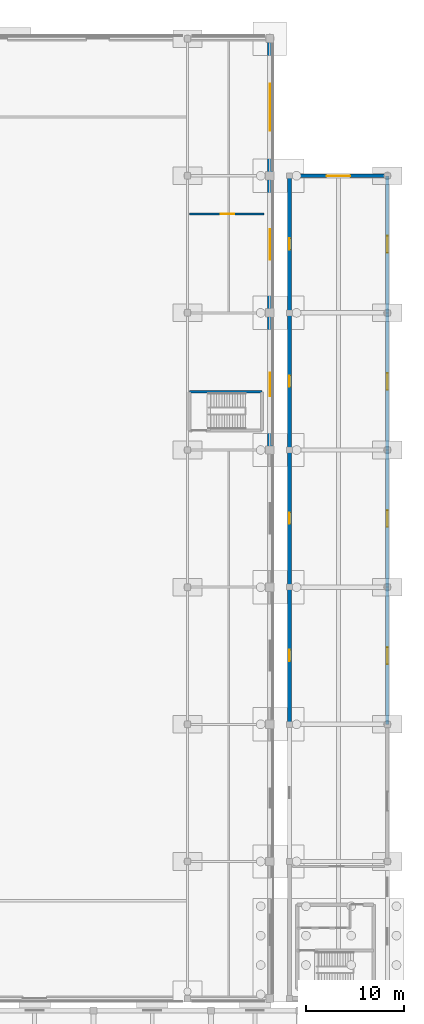
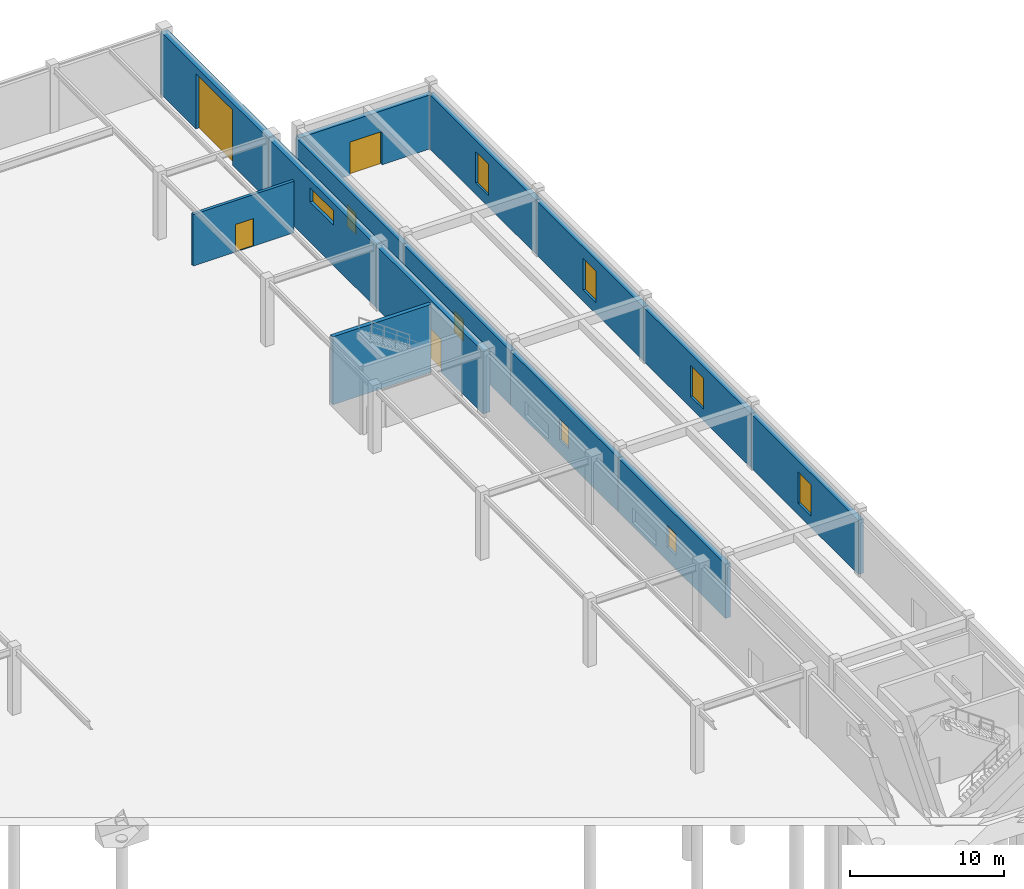
# One storey, part 36 of 53: 14 walls, 9 windows, 4 doors, 13 openings.
"""IFC4 building model written with IfcOpenShell, lengths in metres."""

from ifc_helpers import new_model, si_unit, derived_unit, direction, frame, frame_2d, origin, place, context, subcontext, project, spatial, rectangle, extrude, material, layer, layer_set, type_object, element, fill, save


model = new_model("IFC4")

# Units and contexts
model_context = context("Model", 3, precision=1e-05, world=origin(), true_north=direction((0.0, 1.0)))
body_context = subcontext(model_context, "Body", "Model", "MODEL_VIEW")
ifc_project = project(units=[si_unit("LENGTHUNIT", "METRE"), si_unit("AREAUNIT", "SQUARE_METRE"), si_unit("VOLUMEUNIT", "CUBIC_METRE"), si_unit("PLANEANGLEUNIT", "RADIAN"), si_unit("MASSUNIT", "GRAM", prefix="KILO"), derived_unit("THERMALTRANSMITTANCEUNIT", [(si_unit("POWERUNIT", "WATT"), 1), (si_unit("LENGTHUNIT", "METRE"), -2), (si_unit("THERMODYNAMICTEMPERATUREUNIT", "KELVIN"), -1)])], contexts=[model_context])

# Site, building, storey
site_placement = place(None, origin())
site = spatial("IfcSite", under=ifc_project, at=site_placement, CompositionType="ELEMENT")
building_placement = place(site_placement, origin())
building = spatial("IfcBuilding", under=site, at=building_placement, Name="Almenara Railside Exhibition Hall", CompositionType="ELEMENT")
storey_placement = place(building_placement, origin())
storey = spatial("IfcBuildingStorey", under=building, at=storey_placement, Name="L00", CompositionType="ELEMENT", Elevation=0.0)

# Wall, opening, window
ifc_material_1 = material(Name="Ochre-white lime-rendered masonry over Concrete C35/45", Category="masonry")
ifc_layer_1 = layer(ifc_material_1, 0.385009765625, Name="Ochre-white lime-rendered masonry over Concrete C35/45")
ifc_layer_set_1 = layer_set([ifc_layer_1], Name="Ochre-white lime-rendered masonry over Concrete C35/45")
wall_type_1 = type_object("IfcWallType", Name="Exterior Arcade Spandrel Wall 385mm C35/45", PredefinedType="SOLIDWALL", material=ifc_layer_set_1)
wall_1_placement = place(storey_placement, frame((204.0, 62.0, 0.0), z_axis=(0.0, 0.0, 1.0), x_axis=(0.0, 1.0, 0.0)))
wall_1 = element("IfcWall", 1, at=wall_1_placement, inside=storey, type_object=wall_type_1, Name="Exterior wall 0198", PredefinedType="SOLIDWALL", context=body_context, shape_type="SweptSolid", body=[
    extrude(rectangle(XDim=14.0, YDim=0.385009765625, at=frame_2d((7.0, 0.0))), origin(), (0.0, 0.0, 1.0), 4.300048828125),
])
opening_1_placement = place(wall_1_placement, frame((6.14990234375, 0.0, 0.89990234375)))
opening_1 = element("IfcOpeningElement", 2, at=opening_1_placement, cuts=wall_1, Name="Opening W-06", PredefinedType="OPENING", context=body_context, shape_type="SweptSolid", body=[
    extrude(rectangle(XDim=1.699951171875, YDim=2.5, at=frame_2d((0.85009765625, 1.25))), frame((0.0, 0.202392578125, 0.0), z_axis=(0.0, -1.0, 0.0), x_axis=(1.0, 0.0, 0.0)), (0.0, 0.0, 1.0), 0.405029296875),
])
ifc_material_2 = material(Name="Bronze-anodised aluminium and low-E double glazing", Category="aluminium")
window_type_1 = type_object("IfcWindowType", Name="East Gallery Arched Window 1700x2500", PartitioningType="DOUBLE_PANEL_VERTICAL", PredefinedType="WINDOW", material=ifc_material_2)
window_1_placement = place(opening_1_placement, origin())
window_1 = element("IfcWindow", 3, at=window_1_placement, inside=storey, type_object=window_type_1, Name="Window 0055", OverallHeight=2.5, OverallWidth=1.699951171875, PartitioningType="DOUBLE_PANEL_VERTICAL", PredefinedType="WINDOW", context=body_context, shape_type="SweptSolid", body=[
    extrude(rectangle(XDim=1.699951171875, YDim=2.5, at=frame_2d((0.85009765625, 1.25))), frame((0.0, 0.030029296875, 0.0), z_axis=(0.0, -1.0, 0.0), x_axis=(1.0, 0.0, 0.0)), (0.0, 0.0, 1.0), 0.06005859375),
])
fill(opening_1, window_1)

wall_2_placement = place(storey_placement, frame((194.0, 76.0, 0.0), z_axis=(0.0, 0.0, 1.0), x_axis=(0.0, -1.0, 0.0)))
wall_2 = element("IfcWall", 4, at=wall_2_placement, inside=storey, type_object=wall_type_1, Name="Exterior wall 0199", PredefinedType="SOLIDWALL", context=body_context, shape_type="SweptSolid", body=[
    extrude(rectangle(XDim=14.0, YDim=0.385009765625, at=frame_2d((7.0, 0.0))), origin(), (0.0, 0.0, 1.0), 4.300048828125),
])
opening_2_placement = place(wall_2_placement, frame((6.39990234375, 0.0, 1.10009765625)))
opening_2 = element("IfcOpeningElement", 5, at=opening_2_placement, cuts=wall_2, Name="Opening W-11", PredefinedType="OPENING", context=body_context, shape_type="SweptSolid", body=[
    extrude(rectangle(XDim=1.14990234375, YDim=1.699951171875, at=frame_2d((0.574951171875, 0.85009765625))), frame((0.0, 0.202392578125, 0.0), z_axis=(0.0, -1.0, 0.0), x_axis=(1.0, 0.0, 0.0)), (0.0, 0.0, 1.0), 0.405029296875),
])
window_type_2 = type_object("IfcWindowType", Name="South Gallery Punched Window 1150x1700", PartitioningType="SINGLE_PANEL", PredefinedType="WINDOW", material=ifc_material_2)
window_2_placement = place(opening_2_placement, origin())
window_2 = element("IfcWindow", 6, at=window_2_placement, inside=storey, type_object=window_type_2, Name="Window 0056", OverallHeight=1.699951171875, OverallWidth=1.14990234375, PartitioningType="SINGLE_PANEL", PredefinedType="WINDOW", context=body_context, shape_type="SweptSolid", body=[
    extrude(rectangle(XDim=1.14990234375, YDim=1.699951171875, at=frame_2d((0.574951171875, 0.85009765625))), frame((0.0, 0.030029296875, 0.0), z_axis=(0.0, -1.0, 0.0), x_axis=(1.0, 0.0, 0.0)), (0.0, 0.0, 1.0), 0.06005859375),
])
fill(opening_2, window_2)

wall_3_placement = place(storey_placement, frame((204.0, 76.0, 0.0), z_axis=(0.0, 0.0, 1.0), x_axis=(0.0, 1.0, 0.0)))
wall_3 = element("IfcWall", 7, at=wall_3_placement, inside=storey, type_object=wall_type_1, Name="Exterior wall 0200", PredefinedType="SOLIDWALL", context=body_context, shape_type="SweptSolid", body=[
    extrude(rectangle(XDim=14.0, YDim=0.385009765625, at=frame_2d((7.0, 0.0))), origin(), (0.0, 0.0, 1.0), 4.300048828125),
])
opening_3_placement = place(wall_3_placement, frame((6.14990234375, 0.0, 0.89990234375)))
opening_3 = element("IfcOpeningElement", 8, at=opening_3_placement, cuts=wall_3, Name="Opening W-06", PredefinedType="OPENING", context=body_context, shape_type="SweptSolid", body=[
    extrude(rectangle(XDim=1.699951171875, YDim=2.5, at=frame_2d((0.85009765625, 1.25))), frame((0.0, 0.202392578125, 0.0), z_axis=(0.0, -1.0, 0.0), x_axis=(1.0, 0.0, 0.0)), (0.0, 0.0, 1.0), 0.405029296875),
])
window_3_placement = place(opening_3_placement, origin())
window_3 = element("IfcWindow", 9, at=window_3_placement, inside=storey, type_object=window_type_1, Name="Window 0057", OverallHeight=2.5, OverallWidth=1.699951171875, PartitioningType="DOUBLE_PANEL_VERTICAL", PredefinedType="WINDOW", context=body_context, shape_type="SweptSolid", body=[
    extrude(rectangle(XDim=1.699951171875, YDim=2.5, at=frame_2d((0.85009765625, 1.25))), frame((0.0, 0.030029296875, 0.0), z_axis=(0.0, -1.0, 0.0), x_axis=(1.0, 0.0, 0.0)), (0.0, 0.0, 1.0), 0.06005859375),
])
fill(opening_3, window_3)

wall_4_placement = place(storey_placement, frame((194.0, 90.0, 0.0), z_axis=(0.0, 0.0, 1.0), x_axis=(0.0, -1.0, 0.0)))
wall_4 = element("IfcWall", 10, at=wall_4_placement, inside=storey, type_object=wall_type_1, Name="Exterior wall 0201", PredefinedType="SOLIDWALL", context=body_context, shape_type="SweptSolid", body=[
    extrude(rectangle(XDim=14.0, YDim=0.385009765625, at=frame_2d((7.0, 0.0))), origin(), (0.0, 0.0, 1.0), 4.300048828125),
])
opening_4_placement = place(wall_4_placement, frame((6.39990234375, 0.0, 1.10009765625)))
opening_4 = element("IfcOpeningElement", 11, at=opening_4_placement, cuts=wall_4, Name="Opening W-11", PredefinedType="OPENING", context=body_context, shape_type="SweptSolid", body=[
    extrude(rectangle(XDim=1.14990234375, YDim=1.699951171875, at=frame_2d((0.574951171875, 0.85009765625))), frame((0.0, 0.202392578125, 0.0), z_axis=(0.0, -1.0, 0.0), x_axis=(1.0, 0.0, 0.0)), (0.0, 0.0, 1.0), 0.405029296875),
])
window_4_placement = place(opening_4_placement, origin())
window_4 = element("IfcWindow", 12, at=window_4_placement, inside=storey, type_object=window_type_2, Name="Window 0058", OverallHeight=1.699951171875, OverallWidth=1.14990234375, PartitioningType="SINGLE_PANEL", PredefinedType="WINDOW", context=body_context, shape_type="SweptSolid", body=[
    extrude(rectangle(XDim=1.14990234375, YDim=1.699951171875, at=frame_2d((0.574951171875, 0.85009765625))), frame((0.0, 0.030029296875, 0.0), z_axis=(0.0, -1.0, 0.0), x_axis=(1.0, 0.0, 0.0)), (0.0, 0.0, 1.0), 0.06005859375),
])
fill(opening_4, window_4)

wall_5_placement = place(storey_placement, frame((204.0, 90.0, 0.0), z_axis=(0.0, 0.0, 1.0), x_axis=(0.0, 1.0, 0.0)))
wall_5 = element("IfcWall", 13, at=wall_5_placement, inside=storey, type_object=wall_type_1, Name="Exterior wall 0202", PredefinedType="SOLIDWALL", context=body_context, shape_type="SweptSolid", body=[
    extrude(rectangle(XDim=14.0, YDim=0.385009765625, at=frame_2d((7.0, 0.0))), origin(), (0.0, 0.0, 1.0), 4.300048828125),
])
opening_5_placement = place(wall_5_placement, frame((6.14990234375, 0.0, 0.89990234375)))
opening_5 = element("IfcOpeningElement", 14, at=opening_5_placement, cuts=wall_5, Name="Opening W-06", PredefinedType="OPENING", context=body_context, shape_type="SweptSolid", body=[
    extrude(rectangle(XDim=1.699951171875, YDim=2.5, at=frame_2d((0.85009765625, 1.25))), frame((0.0, 0.202392578125, 0.0), z_axis=(0.0, -1.0, 0.0), x_axis=(1.0, 0.0, 0.0)), (0.0, 0.0, 1.0), 0.405029296875),
])
window_5_placement = place(opening_5_placement, origin())
window_5 = element("IfcWindow", 15, at=window_5_placement, inside=storey, type_object=window_type_1, Name="Window 0059", OverallHeight=2.5, OverallWidth=1.699951171875, PartitioningType="DOUBLE_PANEL_VERTICAL", PredefinedType="WINDOW", context=body_context, shape_type="SweptSolid", body=[
    extrude(rectangle(XDim=1.699951171875, YDim=2.5, at=frame_2d((0.85009765625, 1.25))), frame((0.0, 0.030029296875, 0.0), z_axis=(0.0, -1.0, 0.0), x_axis=(1.0, 0.0, 0.0)), (0.0, 0.0, 1.0), 0.06005859375),
])
fill(opening_5, window_5)

wall_6_placement = place(storey_placement, frame((194.0, 104.0, 0.0), z_axis=(0.0, 0.0, 1.0), x_axis=(0.0, -1.0, 0.0)))
wall_6 = element("IfcWall", 16, at=wall_6_placement, inside=storey, type_object=wall_type_1, Name="Exterior wall 0203", PredefinedType="SOLIDWALL", context=body_context, shape_type="SweptSolid", body=[
    extrude(rectangle(XDim=14.0, YDim=0.385009765625, at=frame_2d((7.0, 0.0))), origin(), (0.0, 0.0, 1.0), 4.300048828125),
])
opening_6_placement = place(wall_6_placement, frame((6.39990234375, 0.0, 1.10009765625)))
opening_6 = element("IfcOpeningElement", 17, at=opening_6_placement, cuts=wall_6, Name="Opening W-11", PredefinedType="OPENING", context=body_context, shape_type="SweptSolid", body=[
    extrude(rectangle(XDim=1.14990234375, YDim=1.699951171875, at=frame_2d((0.574951171875, 0.85009765625))), frame((0.0, 0.202392578125, 0.0), z_axis=(0.0, -1.0, 0.0), x_axis=(1.0, 0.0, 0.0)), (0.0, 0.0, 1.0), 0.405029296875),
])
window_6_placement = place(opening_6_placement, origin())
window_6 = element("IfcWindow", 18, at=window_6_placement, inside=storey, type_object=window_type_2, Name="Window 0060", OverallHeight=1.699951171875, OverallWidth=1.14990234375, PartitioningType="SINGLE_PANEL", PredefinedType="WINDOW", context=body_context, shape_type="SweptSolid", body=[
    extrude(rectangle(XDim=1.14990234375, YDim=1.699951171875, at=frame_2d((0.574951171875, 0.85009765625))), frame((0.0, 0.030029296875, 0.0), z_axis=(0.0, -1.0, 0.0), x_axis=(1.0, 0.0, 0.0)), (0.0, 0.0, 1.0), 0.06005859375),
])
fill(opening_6, window_6)

wall_7_placement = place(storey_placement, frame((204.0, 104.0, 0.0), z_axis=(0.0, 0.0, 1.0), x_axis=(0.0, 1.0, 0.0)))
wall_7 = element("IfcWall", 19, at=wall_7_placement, inside=storey, type_object=wall_type_1, Name="Exterior wall 0204", PredefinedType="SOLIDWALL", context=body_context, shape_type="SweptSolid", body=[
    extrude(rectangle(XDim=14.0, YDim=0.385009765625, at=frame_2d((7.0, 0.0))), origin(), (0.0, 0.0, 1.0), 4.300048828125),
])
opening_7_placement = place(wall_7_placement, frame((6.14990234375, 0.0, 0.89990234375)))
opening_7 = element("IfcOpeningElement", 20, at=opening_7_placement, cuts=wall_7, Name="Opening W-06", PredefinedType="OPENING", context=body_context, shape_type="SweptSolid", body=[
    extrude(rectangle(XDim=1.699951171875, YDim=2.5, at=frame_2d((0.85009765625, 1.25))), frame((0.0, 0.202392578125, 0.0), z_axis=(0.0, -1.0, 0.0), x_axis=(1.0, 0.0, 0.0)), (0.0, 0.0, 1.0), 0.405029296875),
])
window_7_placement = place(opening_7_placement, origin())
window_7 = element("IfcWindow", 21, at=window_7_placement, inside=storey, type_object=window_type_1, Name="Window 0061", OverallHeight=2.5, OverallWidth=1.699951171875, PartitioningType="DOUBLE_PANEL_VERTICAL", PredefinedType="WINDOW", context=body_context, shape_type="SweptSolid", body=[
    extrude(rectangle(XDim=1.699951171875, YDim=2.5, at=frame_2d((0.85009765625, 1.25))), frame((0.0, 0.030029296875, 0.0), z_axis=(0.0, -1.0, 0.0), x_axis=(1.0, 0.0, 0.0)), (0.0, 0.0, 1.0), 0.06005859375),
])
fill(opening_7, window_7)

wall_8_placement = place(storey_placement, frame((194.0, 118.0, 0.0), z_axis=(0.0, 0.0, 1.0), x_axis=(0.0, -1.0, 0.0)))
wall_8 = element("IfcWall", 22, at=wall_8_placement, inside=storey, type_object=wall_type_1, Name="Exterior wall 0205", PredefinedType="SOLIDWALL", context=body_context, shape_type="SweptSolid", body=[
    extrude(rectangle(XDim=14.0, YDim=0.385009765625, at=frame_2d((7.0, 0.0))), origin(), (0.0, 0.0, 1.0), 4.300048828125),
])
opening_8_placement = place(wall_8_placement, frame((6.39990234375, 0.0, 1.10009765625)))
opening_8 = element("IfcOpeningElement", 23, at=opening_8_placement, cuts=wall_8, Name="Opening W-11", PredefinedType="OPENING", context=body_context, shape_type="SweptSolid", body=[
    extrude(rectangle(XDim=1.14990234375, YDim=1.699951171875, at=frame_2d((0.574951171875, 0.85009765625))), frame((0.0, 0.202392578125, 0.0), z_axis=(0.0, -1.0, 0.0), x_axis=(1.0, 0.0, 0.0)), (0.0, 0.0, 1.0), 0.405029296875),
])
window_8_placement = place(opening_8_placement, origin())
window_8 = element("IfcWindow", 24, at=window_8_placement, inside=storey, type_object=window_type_2, Name="Window 0062", OverallHeight=1.699951171875, OverallWidth=1.14990234375, PartitioningType="SINGLE_PANEL", PredefinedType="WINDOW", context=body_context, shape_type="SweptSolid", body=[
    extrude(rectangle(XDim=1.14990234375, YDim=1.699951171875, at=frame_2d((0.574951171875, 0.85009765625))), frame((0.0, 0.030029296875, 0.0), z_axis=(0.0, -1.0, 0.0), x_axis=(1.0, 0.0, 0.0)), (0.0, 0.0, 1.0), 0.06005859375),
])
fill(opening_8, window_8)

# Wall, opening, door
wall_9_placement = place(storey_placement, frame((204.0, 118.0, 0.0), z_axis=(0.0, 0.0, 1.0), x_axis=(-1.0, 0.0, 0.0)))
wall_9 = element("IfcWall", 25, at=wall_9_placement, inside=storey, type_object=wall_type_1, Name="Exterior wall 0207", PredefinedType="SOLIDWALL", context=body_context, shape_type="SweptSolid", body=[
    extrude(rectangle(XDim=10.0, YDim=0.385009765625, at=frame_2d((5.0, 0.0))), origin(), (0.0, 0.0, 1.0), 4.300048828125),
])
opening_9_placement = place(wall_9_placement, frame((3.800048828125, 0.0, 0.0)))
opening_9 = element("IfcOpeningElement", 26, at=opening_9_placement, cuts=wall_9, Name="Opening ED-29", PredefinedType="OPENING", context=body_context, shape_type="SweptSolid", body=[
    extrude(rectangle(XDim=2.39990234375, YDim=2.64990234375, at=frame_2d((1.199951171875, 1.324951171875))), frame((0.0, 0.202392578125, 0.0), z_axis=(0.0, -1.0, 0.0), x_axis=(1.0, 0.0, 0.0)), (0.0, 0.0, 1.0), 0.405029296875),
])
ifc_material_3 = material(Name="Bronze-anodised glazed entrance door")
door_type_1 = type_object("IfcDoorType", Name="Grand Civic Portal Double Exit Door 2400x2650", OperationType="NOTDEFINED", PredefinedType="DOOR", material=ifc_material_3)
door_1_placement = place(opening_9_placement, frame((2.39990234375, 0.0, 0.0), z_axis=(0.0, 0.0, 1.0), x_axis=(-1.0, 0.0, 0.0)))
door_1 = element("IfcDoor", 27, at=door_1_placement, inside=storey, type_object=door_type_1, Name="Exterior door ED-29", OperationType="DOUBLE_DOOR_SINGLE_SWING", OverallHeight=2.64990234375, OverallWidth=2.39990234375, PredefinedType="DOOR", context=body_context, shape_type="SweptSolid", body=[
    extrude(rectangle(XDim=2.39990234375, YDim=2.64990234375, at=frame_2d((1.199951171875, 1.324951171875))), frame((0.0, 0.02490234375, 0.0), z_axis=(0.0, -1.0, 0.0), x_axis=(1.0, 0.0, 0.0)), (0.0, 0.0, 1.0), 0.050048828125),
])
fill(opening_9, door_1)

ifc_layer_2 = layer(ifc_material_1, 0.510009765625, Name="Ochre-white lime-rendered masonry over Concrete C35/45")
ifc_layer_set_2 = layer_set([ifc_layer_2], Name="Ochre-white lime-rendered masonry over Concrete C35/45")
wall_type_2 = type_object("IfcWallType", Name="Exterior East Hall Thermal Wall 510mm C35/45", PredefinedType="SOLIDWALL", material=ifc_layer_set_2)
wall_10_placement = place(storey_placement, frame((192.0, 90.0, 0.0), z_axis=(0.0, 0.0, 1.0), x_axis=(0.0, 1.0, 0.0)))
wall_10 = element("IfcWall", 28, at=wall_10_placement, inside=storey, type_object=wall_type_2, Name="Exterior wall 0086", PredefinedType="SOLIDWALL", context=body_context, shape_type="SweptSolid", body=[
    extrude(rectangle(XDim=14.0, YDim=0.510009765625, at=frame_2d((7.0, 0.0))), origin(), (0.0, 0.0, 1.0), 4.949951171875),
])
opening_10_placement = place(wall_10_placement, frame((5.5, 0.0, 0.0)))
opening_10 = element("IfcOpeningElement", 29, at=opening_10_placement, cuts=wall_10, Name="Opening ED-09", PredefinedType="OPENING", context=body_context, shape_type="SweptSolid", body=[
    extrude(rectangle(XDim=2.39990234375, YDim=2.64990234375, at=frame_2d((1.199951171875, 1.324951171875))), frame((0.0, 0.264892578125, 0.0), z_axis=(0.0, -1.0, 0.0), x_axis=(1.0, 0.0, 0.0)), (0.0, 0.0, 1.0), 0.530029296875),
])
door_2_placement = place(opening_10_placement, frame((2.39990234375, 0.0, 0.0), z_axis=(0.0, 0.0, 1.0), x_axis=(-1.0, 0.0, 0.0)))
door_2 = element("IfcDoor", 30, at=door_2_placement, inside=storey, type_object=door_type_1, Name="Exterior door ED-09", OperationType="DOUBLE_DOOR_SINGLE_SWING", OverallHeight=2.64990234375, OverallWidth=2.39990234375, PredefinedType="DOOR", context=body_context, shape_type="SweptSolid", body=[
    extrude(rectangle(XDim=2.39990234375, YDim=2.64990234375, at=frame_2d((1.199951171875, 1.324951171875))), frame((0.0, 0.02490234375, 0.0), z_axis=(0.0, -1.0, 0.0), x_axis=(1.0, 0.0, 0.0)), (0.0, 0.0, 1.0), 0.050048828125),
])
fill(opening_10, door_2)

# Wall, opening, window
wall_11_placement = place(storey_placement, frame((192.0, 104.0, 0.0), z_axis=(0.0, 0.0, 1.0), x_axis=(0.0, 1.0, 0.0)))
wall_11 = element("IfcWall", 31, at=wall_11_placement, inside=storey, type_object=wall_type_2, Name="Exterior wall 0090", PredefinedType="SOLIDWALL", context=body_context, shape_type="SweptSolid", body=[
    extrude(rectangle(XDim=14.0, YDim=0.510009765625, at=frame_2d((7.0, 0.0))), origin(), (0.0, 0.0, 1.0), 4.949951171875),
])
opening_11_placement = place(wall_11_placement, frame((5.449951171875, 0.0, 3.199951171875)))
opening_11 = element("IfcOpeningElement", 32, at=opening_11_placement, cuts=wall_11, Name="Opening W-15", PredefinedType="OPENING", context=body_context, shape_type="SweptSolid", body=[
    extrude(rectangle(XDim=3.10009765625, YDim=1.14990234375, at=frame_2d((1.550048828125, 0.574951171875))), frame((0.0, 0.264892578125, 0.0), z_axis=(0.0, -1.0, 0.0), x_axis=(1.0, 0.0, 0.0)), (0.0, 0.0, 1.0), 0.530029296875),
])
window_type_3 = type_object("IfcWindowType", Name="East Hall Clerestory Window 3100x1150", PartitioningType="TRIPLE_PANEL_HORIZONTAL", PredefinedType="WINDOW", material=ifc_material_2)
window_9_placement = place(opening_11_placement, origin())
window_9 = element("IfcWindow", 33, at=window_9_placement, inside=storey, type_object=window_type_3, Name="Window 0018", OverallHeight=1.14990234375, OverallWidth=3.10009765625, PartitioningType="TRIPLE_PANEL_HORIZONTAL", PredefinedType="WINDOW", context=body_context, shape_type="SweptSolid", body=[
    extrude(rectangle(XDim=3.10009765625, YDim=1.14990234375, at=frame_2d((1.550048828125, 0.574951171875))), frame((0.0, 0.030029296875, 0.0), z_axis=(0.0, -1.0, 0.0), x_axis=(1.0, 0.0, 0.0)), (0.0, 0.0, 1.0), 0.06005859375),
])
fill(opening_11, window_9)

# Wall, opening, door
wall_12_placement = place(storey_placement, frame((192.0, 118.0, 0.0), z_axis=(0.0, 0.0, 1.0), x_axis=(0.0, 1.0, 0.0)))
wall_12 = element("IfcWall", 34, at=wall_12_placement, inside=storey, type_object=wall_type_2, Name="Exterior wall 0094", PredefinedType="SOLIDWALL", context=body_context, shape_type="SweptSolid", body=[
    extrude(rectangle(XDim=14.0, YDim=0.510009765625, at=frame_2d((7.0, 0.0))), origin(), (0.0, 0.0, 1.0), 4.949951171875),
])
opening_12_placement = place(wall_12_placement, frame((4.60009765625, 0.0, 0.0)))
opening_12 = element("IfcOpeningElement", 35, at=opening_12_placement, cuts=wall_12, Name="Opening VG-02", PredefinedType="OPENING", context=body_context, shape_type="SweptSolid", body=[
    extrude(rectangle(XDim=4.800048828125, YDim=4.39990234375, at=frame_2d((2.39990234375, 2.199951171875))), frame((0.0, 0.264892578125, 0.0), z_axis=(0.0, -1.0, 0.0), x_axis=(1.0, 0.0, 0.0)), (0.0, 0.0, 1.0), 0.530029296875),
])
ifc_material_4 = material(Name="Galvanised insulated acoustic steel shutter", Category="steel")
door_type_2 = type_object("IfcDoorType", Name="Marshalling Bay Roller Shutter 4800x4400", OperationType="ROLLINGUP", PredefinedType="GATE", material=ifc_material_4)
door_3_placement = place(opening_12_placement, origin())
door_3 = element("IfcDoor", 36, at=door_3_placement, inside=storey, type_object=door_type_2, Name="Exterior door VG-02", OperationType="ROLLINGUP", OverallHeight=4.39990234375, OverallWidth=4.800048828125, PredefinedType="GATE", context=body_context, shape_type="SweptSolid", body=[
    extrude(rectangle(XDim=4.800048828125, YDim=4.39990234375, at=frame_2d((2.39990234375, 2.199951171875))), frame((0.0, 0.02490234375, 0.0), z_axis=(0.0, -1.0, 0.0), x_axis=(1.0, 0.0, 0.0)), (0.0, 0.0, 1.0), 0.050048828125),
])
fill(opening_12, door_3)

ifc_material_5 = material(Name="Insulated masonry over Concrete C35/45", Category="masonry")
ifc_layer_3 = layer(ifc_material_5, 0.219970703125, Name="Insulated masonry over Concrete C35/45")
ifc_layer_set_3 = layer_set([ifc_layer_3], Name="Insulated masonry over Concrete C35/45")
wall_type_3 = type_object("IfcWallType", Name="Occupancy Separating Fire Wall 220mm", PredefinedType="SOLIDWALL", material=ifc_layer_set_3)
wall_13_placement = place(storey_placement, frame((183.800048828125, 114.10009765625, 0.0), z_axis=(0.0, 0.0, 1.0), x_axis=(1.0, 0.0, 0.0)))
wall_13 = element("IfcWall", 37, at=wall_13_placement, inside=storey, type_object=wall_type_3, Name="Interior wall 0362", PredefinedType="SOLIDWALL", context=body_context, shape_type="SweptSolid", body=[
    extrude(rectangle(XDim=7.599853515625, YDim=0.219970703125, at=frame_2d((3.7998046875, 0.0))), origin(), (0.0, 0.0, 1.0), 4.10009765625),
])
opening_13_placement = place(wall_13_placement, frame((3.199951171875, 0.0, 0.0)))
opening_13 = element("IfcOpeningElement", 38, at=opening_13_placement, cuts=wall_13, Name="Opening FD-135", PredefinedType="OPENING", context=body_context, shape_type="SweptSolid", body=[
    extrude(rectangle(XDim=1.35009765625, YDim=2.199951171875, at=frame_2d((0.675048828125, 1.10009765625))), frame((0.0, 0.119873046875, 0.0), z_axis=(0.0, -1.0, 0.0), x_axis=(1.0, 0.0, 0.0)), (0.0, 0.0, 1.0), 0.239990234375),
])
ifc_material_6 = material(Name="Fire-rated heavy steel door", Category="steel")
door_type_3 = type_object("IfcDoorType", Name="Plant and Store Fire Door 1350x2200 FD120", OperationType="NOTDEFINED", PredefinedType="DOOR", material=ifc_material_6)
door_4_placement = place(opening_13_placement, origin())
door_4 = element("IfcDoor", 39, at=door_4_placement, inside=storey, type_object=door_type_3, Name="Interior door FD-135-217", OperationType="SINGLE_SWING_LEFT", OverallHeight=2.199951171875, OverallWidth=1.35009765625, PredefinedType="DOOR", context=body_context, shape_type="SweptSolid", body=[
    extrude(rectangle(XDim=1.35009765625, YDim=2.199951171875, at=frame_2d((0.675048828125, 1.10009765625))), frame((0.0, 0.02490234375, 0.0), z_axis=(0.0, -1.0, 0.0), x_axis=(1.0, 0.0, 0.0)), (0.0, 0.0, 1.0), 0.050048828125),
])
fill(opening_13, door_4)

# Wall
ifc_material_7 = material(Name="Concrete C35/45", Category="concrete")
ifc_layer_4 = layer(ifc_material_7, 0.300048828125, Name="Concrete C35/45")
ifc_layer_set_4 = layer_set([ifc_layer_4], Name="Concrete C35/45")
wall_type_4 = type_object("IfcWallType", Name="Stair and Lift Shaft Wall 300mm C35/45", PredefinedType="SHEAR", material=ifc_layer_set_4)
wall_14_placement = place(storey_placement, frame((191.199951171875, 95.949951171875, 0.0), z_axis=(0.0, 0.0, 1.0), x_axis=(-1.0, 0.0, 0.0)))
element("IfcWall", 40, at=wall_14_placement, inside=storey, type_object=wall_type_4, Name="Interior wall 0345", PredefinedType="SHEAR", context=body_context, shape_type="SweptSolid", body=[
    extrude(rectangle(XDim=7.39990234375, YDim=0.300048828125, at=frame_2d((3.699951171875, 0.0))), origin(), (0.0, 0.0, 1.0), 5.39990234375),
])

save(model, "model.ifc")
